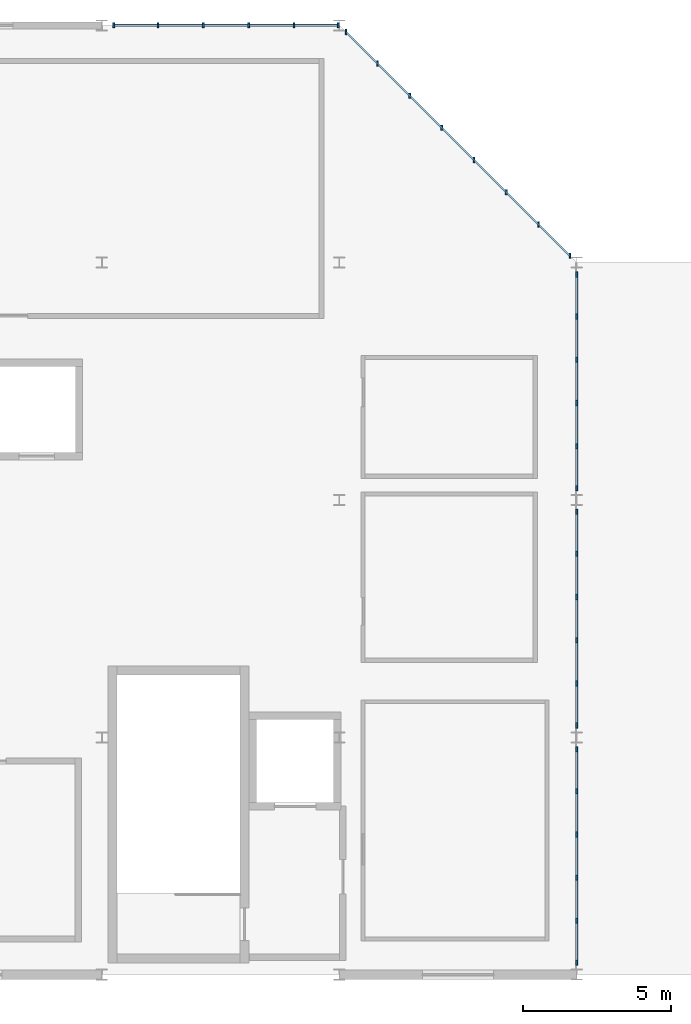
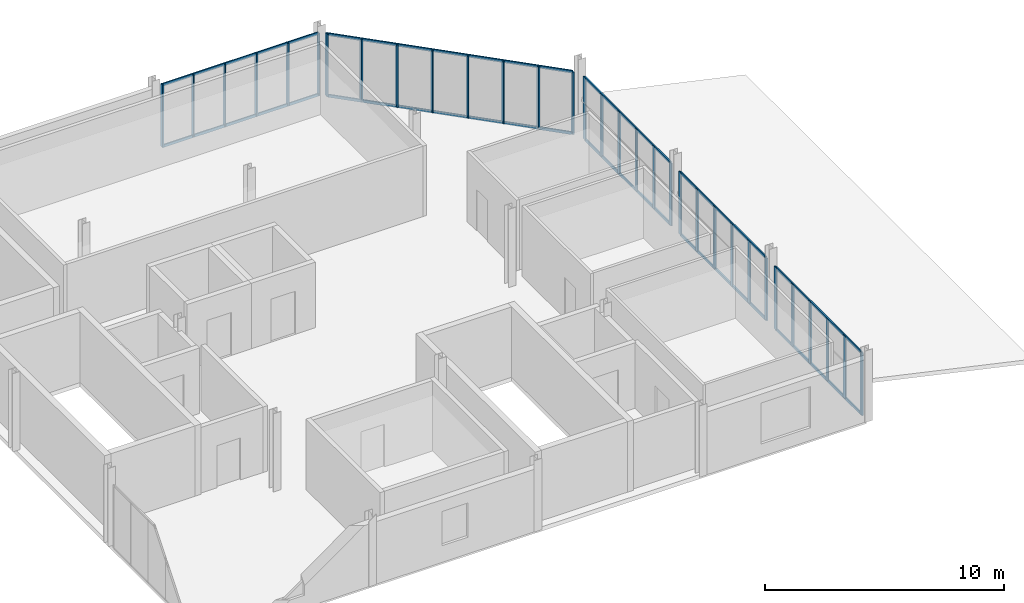
# One storey, part 3 of 7: 42 members, 5 elements without a shape of their own.
"""IFC4 building model written with IfcOpenShell, lengths in metres."""

import ifcopenshell
import ifcopenshell.guid

model = None  # the IFC model being written
_history = None  # IfcOwnerHistory: only IFC2X3 demands one
_inside = {}  # id of a spatial element -> (the spatial element, [elements in it])
_under = {}  # id of a project, library or spatial element -> (it, [spatial elements below it])
_declared = {}  # id of a project -> (the project, [libraries it declares])
_typed = {}  # id of a type object -> (the type object, [elements of that type])
_made_of = {}  # id of a material, layer set ... -> (it, [elements and type objects made of it])


def new_model(schema):
    """Start an empty IFC model of exactly this schema.

    Asked for "IFC4X3", IfcOpenShell would pick the latest addendum, in which some entities
    have other attributes; the version numbers below select the first issue.
    IFC2X3 requires an IfcOwnerHistory on every rooted entity: one is made here for all.
    """
    global model, _history
    if schema == "IFC4X3":
        model = ifcopenshell.file(schema_version=(4, 3, 0, 0))
    else:
        model = ifcopenshell.file(schema=schema)
    _inside.clear()
    _under.clear()
    _declared.clear()
    _typed.clear()
    _made_of.clear()
    _history = None
    if model.schema == "IFC2X3":
        org = make("IfcOrganization", Name="unknown")
        user = make(
            "IfcPersonAndOrganization",
            ThePerson=make("IfcPerson", FamilyName="unknown"),
            TheOrganization=org,
        )
        app = make(
            "IfcApplication",
            ApplicationDeveloper=org,
            Version="unknown",
            ApplicationFullName="unknown",
            ApplicationIdentifier="unknown",
        )
        _history = make(
            "IfcOwnerHistory",
            OwningUser=user,
            OwningApplication=app,
            ChangeAction="ADDED",
            CreationDate=0,
        )
    return model


def make(cls, **values):
    """One entity of the class cls with the attributes given. An attribute that is None is left unset."""
    return model.create_entity(
        cls, **{name: value for name, value in values.items() if value is not None}
    )


def rooted(cls, **values):
    """An entity with a GlobalId (a new one), such as an element, a storey or a relation."""
    return make(cls, GlobalId=ifcopenshell.guid.new(), OwnerHistory=_history, **values)


def si_unit(unit_type, name, prefix=None):
    """IfcSIUnit, for example si_unit("LENGTHUNIT", "METRE", prefix="MILLI")."""
    return make("IfcSIUnit", UnitType=unit_type, Prefix=prefix, Name=name)


def assignment(units):
    """IfcUnitAssignment: the units of a project."""
    return None if units is None else make("IfcUnitAssignment", Units=units)


def point(xyz):
    """IfcCartesianPoint."""
    return None if xyz is None else make("IfcCartesianPoint", Coordinates=xyz)


def direction(xyz):
    """IfcDirection."""
    return None if xyz is None else make("IfcDirection", DirectionRatios=xyz)


def frame(location, z_axis=None, x_axis=None):
    """IfcAxis2Placement3D, a coordinate frame: its origin and axes. An axis left out is left unset."""
    return make(
        "IfcAxis2Placement3D",
        Location=point(location),
        Axis=direction(z_axis),
        RefDirection=direction(x_axis),
    )


def frame_2d(location, x_axis=None):
    """IfcAxis2Placement2D, a coordinate frame in the plane: its origin and x axis."""
    return make(
        "IfcAxis2Placement2D", Location=point(location), RefDirection=direction(x_axis)
    )


def origin():
    """The frame at (0, 0, 0) with its axes left unset."""
    return frame((0.0, 0.0, 0.0))


def origin_2d():
    """The frame at (0, 0) in the plane with its x axis left unset."""
    return frame_2d((0.0, 0.0))


def place(relative_to, where):
    """IfcLocalPlacement: puts the frame where relative to a parent placement (None: the world)."""
    return make(
        "IfcLocalPlacement", PlacementRelTo=relative_to, RelativePlacement=where
    )


def context(
    kind, dimensions, precision=None, world=None, true_north=None, identifier=None
):
    """IfcGeometricRepresentationContext, for example the 3D "Model" context."""
    return make(
        "IfcGeometricRepresentationContext",
        ContextIdentifier=identifier,
        ContextType=kind,
        CoordinateSpaceDimension=dimensions,
        Precision=precision,
        WorldCoordinateSystem=world,
        TrueNorth=true_north,
    )


def subcontext(parent, identifier, kind, view, scale=None):
    """IfcGeometricRepresentationSubContext, for example "Body" below "Model"."""
    return make(
        "IfcGeometricRepresentationSubContext",
        ContextIdentifier=identifier,
        ContextType=kind,
        ParentContext=parent,
        TargetScale=scale,
        TargetView=view,
    )


def project(units=None, contexts=None):
    """IfcProject with its units and contexts."""
    return rooted(
        "IfcProject",
        Name="project",
        RepresentationContexts=contexts,
        UnitsInContext=assignment(units),
    )


def spatial(cls, under=None, at=None, **own):
    """A site, building, storey or space (cls), placed at a placement, below another one or the project."""
    s = rooted(cls, ObjectPlacement=at, **own)
    if under is not None:
        _under.setdefault(under.id(), (under, []))[1].append(s)
    return s


def profile(cls, at=None, kind="AREA", **sizes):
    """A parametric profile (cls). Its sizes go by their IFC names, for example OverallWidth=200.0."""
    return make(cls, ProfileType=kind, Position=at, **sizes)


def rectangle(**sizes):
    """IfcRectangleProfileDef."""
    return profile("IfcRectangleProfileDef", **sizes)


def extrude(swept, where, along, depth):
    """IfcExtrudedAreaSolid: the profile swept, set in the frame where, extruded along a direction by depth."""
    return make(
        "IfcExtrudedAreaSolid",
        SweptArea=swept,
        Position=where,
        ExtrudedDirection=direction(along),
        Depth=depth,
    )


def shape(context_of_items, identifier, shape_type, items):
    """IfcShapeRepresentation: the items that make up one representation, for example the "Body"."""
    return make(
        "IfcShapeRepresentation",
        ContextOfItems=context_of_items,
        RepresentationIdentifier=identifier,
        RepresentationType=shape_type,
        Items=items,
    )


def material(Name=None, Category=None):
    """IfcMaterial."""
    return make("IfcMaterial", Name=Name, Category=Category)


def material_profile(
    of_material, cross_section, Name=None, Category=None, Priority=None
):
    """IfcMaterialProfile: a cross section and its material."""
    return make(
        "IfcMaterialProfile",
        Name=Name,
        Material=of_material,
        Profile=cross_section,
        Priority=Priority,
        Category=Category,
    )


def profile_set(profiles, Name=None, composite=None):
    """IfcMaterialProfileSet."""
    return make(
        "IfcMaterialProfileSet",
        Name=Name,
        MaterialProfiles=profiles,
        CompositeProfile=composite,
    )


def made_of(thing, what):
    """Note that an element or type object is made of a material, layer set ...; save() writes the relation."""
    if what is not None:
        _made_of.setdefault(what.id(), (what, []))[1].append(thing)
    return thing


def type_object(cls, material=None, **own):
    """A type object (cls), such as IfcWallType, which elements share."""
    return made_of(rooted(cls, **own), material)


def element(
    cls,
    number,
    at=None,
    inside=None,
    cuts=None,
    type_object=None,
    material=None,
    context=None,
    identifier="Body",
    shape_type=None,
    held_by="IfcProductDefinitionShape",
    body=None,
    shapes=None,
    **own,
):
    """One element of the class cls, such as IfcWall. Its Tag is "e" and its number.

    at: its placement. inside: the storey or other place that contains it. cuts: it is an
    opening in that element (IfcRelVoidsElement). A single representation is given by context,
    identifier, shape_type and body (its items); several are given by shapes. held_by: the class
    of the entity that holds the representations. save() writes the other relations.
    """
    e = rooted(cls, Tag="e%d" % number, ObjectPlacement=at, **own)
    if body is not None:
        shapes = [shape(context, identifier, shape_type, body)]
    if shapes is not None:
        e.Representation = make(held_by, Representations=shapes)
    if inside is not None:
        _inside.setdefault(inside.id(), (inside, []))[1].append(e)
    if cuts is not None:
        rooted(
            "IfcRelVoidsElement", RelatingBuildingElement=cuts, RelatedOpeningElement=e
        )
    if type_object is not None:
        _typed.setdefault(type_object.id(), (type_object, []))[1].append(e)
    return made_of(e, material)


def aggregate(whole, parts):
    """IfcRelAggregates: a whole, such as a stair, and the parts it consists of."""
    return rooted("IfcRelAggregates", RelatingObject=whole, RelatedObjects=parts)


def save(model, path):
    """Write the relations noted so far, then the file.

    IfcRelAggregates (storeys below a building ...), IfcRelContainedInSpatialStructure (elements
    in a storey), IfcRelDefinesByType, IfcRelAssociatesMaterial and IfcRelDeclares: one each for
    every whole, place, type object, material and project.
    """
    for whole, parts in _under.values():
        aggregate(whole, parts)
    for where, things in _inside.values():
        rooted(
            "IfcRelContainedInSpatialStructure",
            RelatedElements=things,
            RelatingStructure=where,
        )
    for kind, things in _typed.values():
        rooted("IfcRelDefinesByType", RelatedObjects=things, RelatingType=kind)
    for what, things in _made_of.values():
        rooted("IfcRelAssociatesMaterial", RelatedObjects=things, RelatingMaterial=what)
    for by, libraries in _declared.values():
        rooted("IfcRelDeclares", RelatingContext=by, RelatedDefinitions=libraries)
    model.write(path)


model = new_model("IFC4")

# Units and contexts
model_context = context("Model", 3, precision=1e-05, world=origin(), true_north=direction((0.0, 1.0)))
body_context = subcontext(model_context, "Body", "Model", "MODEL_VIEW")
ifc_project = project(units=[si_unit("LENGTHUNIT", "METRE"), si_unit("AREAUNIT", "SQUARE_METRE"), si_unit("VOLUMEUNIT", "CUBIC_METRE"), si_unit("PLANEANGLEUNIT", "RADIAN"), si_unit("MASSUNIT", "GRAM", prefix="KILO")], contexts=[model_context])

# Site, building, storey
site_placement = place(None, origin())
site = spatial("IfcSite", under=ifc_project, at=site_placement, CompositionType="ELEMENT")
building_placement = place(site_placement, origin())
building = spatial("IfcBuilding", under=site, at=building_placement, Name="Drelvath Fold Interchange", CompositionType="ELEMENT")
storey_placement = place(building_placement, frame((0.0, 0.0, 24.0)))
storey = spatial("IfcBuildingStorey", under=building, at=storey_placement, Name="L05", CompositionType="ELEMENT", Elevation=24.0)

# Curtain wall, members
ifc_material = material(Name="Anodized Aluminium 6063-T6", Category="aluminium")
curtain_wall_type_1 = type_object("IfcCurtainWallType", Name="CW-OPS-UPP", PredefinedType="USERDEFINED", material=ifc_material)
curtain_wall_1_placement = place(storey_placement, origin())
curtain_wall_1 = element("IfcCurtainWall", 1, at=curtain_wall_1_placement, inside=storey, type_object=curtain_wall_type_1, Name="Curtain wall CW-V5-L05-E3", ObjectType="UNITISED CURTAIN WALL", PredefinedType="USERDEFINED")
ifc_material_profile_1 = material_profile(ifc_material, rectangle(XDim=0.06005859375, YDim=0.175048828125, at=origin_2d()), Name="AL-M 60x175")
ifc_profile_set_1 = profile_set([ifc_material_profile_1], Name="Anodized Aluminium 6063-T6")
member_type_1 = type_object("IfcMemberType", Name="ML-175", PredefinedType="MULLION", material=ifc_profile_set_1)
member_1_placement = place(storey_placement, frame((36.0, 3.39990234375, 0.0), z_axis=(0.0, 0.0, 1.0), x_axis=(1.0, 0.0, 0.0)))
member_1 = element("IfcMember", 2, at=member_1_placement, type_object=member_type_1, Name="CW-V5-L05-E3 mullion 0", PredefinedType="MULLION", context=body_context, shape_type="SweptSolid", body=[
    extrude(rectangle(XDim=0.06005859375, YDim=0.175048828125, at=origin_2d()), origin(), (0.0, 0.0, 1.0), 3.199951171875),
])
member_2_placement = place(storey_placement, frame((36.0, 4.81591796875, 0.0), z_axis=(0.0, 0.0, 1.0), x_axis=(1.0, 0.0, 0.0)))
member_2 = element("IfcMember", 3, at=member_2_placement, type_object=member_type_1, Name="CW-V5-L05-E3 mullion 1", PredefinedType="MULLION", context=body_context, shape_type="SweptSolid", body=[
    extrude(rectangle(XDim=0.06005859375, YDim=0.175048828125, at=origin_2d()), origin(), (0.0, 0.0, 1.0), 3.199951171875),
])
member_3_placement = place(storey_placement, frame((36.0, 6.27197265625, 0.0), z_axis=(0.0, 0.0, 1.0), x_axis=(1.0, 0.0, 0.0)))
member_3 = element("IfcMember", 4, at=member_3_placement, type_object=member_type_1, Name="CW-V5-L05-E3 mullion 2", PredefinedType="MULLION", context=body_context, shape_type="SweptSolid", body=[
    extrude(rectangle(XDim=0.06005859375, YDim=0.175048828125, at=origin_2d()), origin(), (0.0, 0.0, 1.0), 3.199951171875),
])
member_4_placement = place(storey_placement, frame((36.0, 7.72802734375, 0.0), z_axis=(0.0, 0.0, 1.0), x_axis=(1.0, 0.0, 0.0)))
member_4 = element("IfcMember", 5, at=member_4_placement, type_object=member_type_1, Name="CW-V5-L05-E3 mullion 3", PredefinedType="MULLION", context=body_context, shape_type="SweptSolid", body=[
    extrude(rectangle(XDim=0.06005859375, YDim=0.175048828125, at=origin_2d()), origin(), (0.0, 0.0, 1.0), 3.199951171875),
])
member_5_placement = place(storey_placement, frame((36.0, 9.18408203125, 0.0), z_axis=(0.0, 0.0, 1.0), x_axis=(1.0, 0.0, 0.0)))
member_5 = element("IfcMember", 6, at=member_5_placement, type_object=member_type_1, Name="CW-V5-L05-E3 mullion 4", PredefinedType="MULLION", context=body_context, shape_type="SweptSolid", body=[
    extrude(rectangle(XDim=0.06005859375, YDim=0.175048828125, at=origin_2d()), origin(), (0.0, 0.0, 1.0), 3.199951171875),
])
member_6_placement = place(storey_placement, frame((36.0, 10.60009765625, 0.0), z_axis=(0.0, 0.0, 1.0), x_axis=(1.0, 0.0, 0.0)))
member_6 = element("IfcMember", 7, at=member_6_placement, type_object=member_type_1, Name="CW-V5-L05-E3 mullion 5", PredefinedType="MULLION", context=body_context, shape_type="SweptSolid", body=[
    extrude(rectangle(XDim=0.06005859375, YDim=0.175048828125, at=origin_2d()), origin(), (0.0, 0.0, 1.0), 3.199951171875),
])

curtain_wall_2_placement = place(storey_placement, origin())
curtain_wall_2 = element("IfcCurtainWall", 8, at=curtain_wall_2_placement, inside=storey, type_object=curtain_wall_type_1, Name="Curtain wall CW-V5-L05-E11", ObjectType="UNITISED CURTAIN WALL", PredefinedType="USERDEFINED")
member_7_placement = place(storey_placement, frame((36.0, 11.39990234375, 0.0), z_axis=(0.0, 0.0, 1.0), x_axis=(1.0, 0.0, 0.0)))
member_7 = element("IfcMember", 9, at=member_7_placement, type_object=member_type_1, Name="CW-V5-L05-E11 mullion 0", PredefinedType="MULLION", context=body_context, shape_type="SweptSolid", body=[
    extrude(rectangle(XDim=0.06005859375, YDim=0.175048828125, at=origin_2d()), origin(), (0.0, 0.0, 1.0), 3.199951171875),
])
member_8_placement = place(storey_placement, frame((36.0, 12.81591796875, 0.0), z_axis=(0.0, 0.0, 1.0), x_axis=(1.0, 0.0, 0.0)))
member_8 = element("IfcMember", 10, at=member_8_placement, type_object=member_type_1, Name="CW-V5-L05-E11 mullion 1", PredefinedType="MULLION", context=body_context, shape_type="SweptSolid", body=[
    extrude(rectangle(XDim=0.06005859375, YDim=0.175048828125, at=origin_2d()), origin(), (0.0, 0.0, 1.0), 3.199951171875),
])
member_9_placement = place(storey_placement, frame((36.0, 14.27197265625, 0.0), z_axis=(0.0, 0.0, 1.0), x_axis=(1.0, 0.0, 0.0)))
member_9 = element("IfcMember", 11, at=member_9_placement, type_object=member_type_1, Name="CW-V5-L05-E11 mullion 2", PredefinedType="MULLION", context=body_context, shape_type="SweptSolid", body=[
    extrude(rectangle(XDim=0.06005859375, YDim=0.175048828125, at=origin_2d()), origin(), (0.0, 0.0, 1.0), 3.199951171875),
])
member_10_placement = place(storey_placement, frame((36.0, 15.72802734375, 0.0), z_axis=(0.0, 0.0, 1.0), x_axis=(1.0, 0.0, 0.0)))
member_10 = element("IfcMember", 12, at=member_10_placement, type_object=member_type_1, Name="CW-V5-L05-E11 mullion 3", PredefinedType="MULLION", context=body_context, shape_type="SweptSolid", body=[
    extrude(rectangle(XDim=0.06005859375, YDim=0.175048828125, at=origin_2d()), origin(), (0.0, 0.0, 1.0), 3.199951171875),
])
member_11_placement = place(storey_placement, frame((36.0, 17.18408203125, 0.0), z_axis=(0.0, 0.0, 1.0), x_axis=(1.0, 0.0, 0.0)))
member_11 = element("IfcMember", 13, at=member_11_placement, type_object=member_type_1, Name="CW-V5-L05-E11 mullion 4", PredefinedType="MULLION", context=body_context, shape_type="SweptSolid", body=[
    extrude(rectangle(XDim=0.06005859375, YDim=0.175048828125, at=origin_2d()), origin(), (0.0, 0.0, 1.0), 3.199951171875),
])
member_12_placement = place(storey_placement, frame((36.0, 18.60009765625, 0.0), z_axis=(0.0, 0.0, 1.0), x_axis=(1.0, 0.0, 0.0)))
member_12 = element("IfcMember", 14, at=member_12_placement, type_object=member_type_1, Name="CW-V5-L05-E11 mullion 5", PredefinedType="MULLION", context=body_context, shape_type="SweptSolid", body=[
    extrude(rectangle(XDim=0.06005859375, YDim=0.175048828125, at=origin_2d()), origin(), (0.0, 0.0, 1.0), 3.199951171875),
])

curtain_wall_3_placement = place(storey_placement, origin())
curtain_wall_3 = element("IfcCurtainWall", 15, at=curtain_wall_3_placement, inside=storey, type_object=curtain_wall_type_1, Name="Curtain wall CW-V5-L05-E19", ObjectType="UNITISED CURTAIN WALL", PredefinedType="USERDEFINED")
member_13_placement = place(storey_placement, frame((36.0, 19.39990234375, 0.0), z_axis=(0.0, 0.0, 1.0), x_axis=(1.0, 0.0, 0.0)))
member_13 = element("IfcMember", 16, at=member_13_placement, type_object=member_type_1, Name="CW-V5-L05-E19 mullion 0", PredefinedType="MULLION", context=body_context, shape_type="SweptSolid", body=[
    extrude(rectangle(XDim=0.06005859375, YDim=0.175048828125, at=origin_2d()), origin(), (0.0, 0.0, 1.0), 3.199951171875),
])
member_14_placement = place(storey_placement, frame((36.0, 20.81591796875, 0.0), z_axis=(0.0, 0.0, 1.0), x_axis=(1.0, 0.0, 0.0)))
member_14 = element("IfcMember", 17, at=member_14_placement, type_object=member_type_1, Name="CW-V5-L05-E19 mullion 1", PredefinedType="MULLION", context=body_context, shape_type="SweptSolid", body=[
    extrude(rectangle(XDim=0.06005859375, YDim=0.175048828125, at=origin_2d()), origin(), (0.0, 0.0, 1.0), 3.199951171875),
])
member_15_placement = place(storey_placement, frame((36.0, 22.27197265625, 0.0), z_axis=(0.0, 0.0, 1.0), x_axis=(1.0, 0.0, 0.0)))
member_15 = element("IfcMember", 18, at=member_15_placement, type_object=member_type_1, Name="CW-V5-L05-E19 mullion 2", PredefinedType="MULLION", context=body_context, shape_type="SweptSolid", body=[
    extrude(rectangle(XDim=0.06005859375, YDim=0.175048828125, at=origin_2d()), origin(), (0.0, 0.0, 1.0), 3.199951171875),
])
member_16_placement = place(storey_placement, frame((36.0, 23.72802734375, 0.0), z_axis=(0.0, 0.0, 1.0), x_axis=(1.0, 0.0, 0.0)))
member_16 = element("IfcMember", 19, at=member_16_placement, type_object=member_type_1, Name="CW-V5-L05-E19 mullion 3", PredefinedType="MULLION", context=body_context, shape_type="SweptSolid", body=[
    extrude(rectangle(XDim=0.06005859375, YDim=0.175048828125, at=origin_2d()), origin(), (0.0, 0.0, 1.0), 3.199951171875),
])
member_17_placement = place(storey_placement, frame((36.0, 25.18408203125, 0.0), z_axis=(0.0, 0.0, 1.0), x_axis=(1.0, 0.0, 0.0)))
member_17 = element("IfcMember", 20, at=member_17_placement, type_object=member_type_1, Name="CW-V5-L05-E19 mullion 4", PredefinedType="MULLION", context=body_context, shape_type="SweptSolid", body=[
    extrude(rectangle(XDim=0.06005859375, YDim=0.175048828125, at=origin_2d()), origin(), (0.0, 0.0, 1.0), 3.199951171875),
])
member_18_placement = place(storey_placement, frame((36.0, 26.60009765625, 0.0), z_axis=(0.0, 0.0, 1.0), x_axis=(1.0, 0.0, 0.0)))
member_18 = element("IfcMember", 21, at=member_18_placement, type_object=member_type_1, Name="CW-V5-L05-E19 mullion 5", PredefinedType="MULLION", context=body_context, shape_type="SweptSolid", body=[
    extrude(rectangle(XDim=0.06005859375, YDim=0.175048828125, at=origin_2d()), origin(), (0.0, 0.0, 1.0), 3.199951171875),
])

curtain_wall_type_2 = type_object("IfcCurtainWallType", Name="CW-OPS-CHM", PredefinedType="USERDEFINED", material=ifc_material)
curtain_wall_4_placement = place(storey_placement, origin())
curtain_wall_4 = element("IfcCurtainWall", 22, at=curtain_wall_4_placement, inside=storey, type_object=curtain_wall_type_2, Name="Curtain wall CW-V5-L05-CHM", ObjectType="UNITISED CURTAIN WALL", PredefinedType="USERDEFINED")
member_19_placement = place(storey_placement, frame((35.77197265625, 27.22802734375, 0.0), z_axis=(0.0, 0.0, 1.0), x_axis=(1.0, 0.0, 0.0)))
member_19 = element("IfcMember", 23, at=member_19_placement, type_object=member_type_1, Name="CW-V5-L05-CHM mullion 0", PredefinedType="MULLION", context=body_context, shape_type="SweptSolid", body=[
    extrude(rectangle(XDim=0.06005859375, YDim=0.175048828125, at=origin_2d()), origin(), (0.0, 0.0, 1.0), 3.199951171875),
])
member_20_placement = place(storey_placement, frame((34.714111328125, 28.285888671875, 0.0), z_axis=(0.0, 0.0, 1.0), x_axis=(1.0, 0.0, 0.0)))
member_20 = element("IfcMember", 24, at=member_20_placement, type_object=member_type_1, Name="CW-V5-L05-CHM mullion 1", PredefinedType="MULLION", context=body_context, shape_type="SweptSolid", body=[
    extrude(rectangle(XDim=0.06005859375, YDim=0.175048828125, at=origin_2d()), origin(), (0.0, 0.0, 1.0), 3.199951171875),
])
member_21_placement = place(storey_placement, frame((33.62890625, 29.37109375, 0.0), z_axis=(0.0, 0.0, 1.0), x_axis=(1.0, 0.0, 0.0)))
member_21 = element("IfcMember", 25, at=member_21_placement, type_object=member_type_1, Name="CW-V5-L05-CHM mullion 2", PredefinedType="MULLION", context=body_context, shape_type="SweptSolid", body=[
    extrude(rectangle(XDim=0.06005859375, YDim=0.175048828125, at=origin_2d()), origin(), (0.0, 0.0, 1.0), 3.199951171875),
])
member_22_placement = place(storey_placement, frame((32.54296875, 30.45703125, 0.0), z_axis=(0.0, 0.0, 1.0), x_axis=(1.0, 0.0, 0.0)))
member_22 = element("IfcMember", 26, at=member_22_placement, type_object=member_type_1, Name="CW-V5-L05-CHM mullion 3", PredefinedType="MULLION", context=body_context, shape_type="SweptSolid", body=[
    extrude(rectangle(XDim=0.06005859375, YDim=0.175048828125, at=origin_2d()), origin(), (0.0, 0.0, 1.0), 3.199951171875),
])
member_23_placement = place(storey_placement, frame((31.45703125, 31.54296875, 0.0), z_axis=(0.0, 0.0, 1.0), x_axis=(1.0, 0.0, 0.0)))
member_23 = element("IfcMember", 27, at=member_23_placement, type_object=member_type_1, Name="CW-V5-L05-CHM mullion 4", PredefinedType="MULLION", context=body_context, shape_type="SweptSolid", body=[
    extrude(rectangle(XDim=0.06005859375, YDim=0.175048828125, at=origin_2d()), origin(), (0.0, 0.0, 1.0), 3.199951171875),
])
member_24_placement = place(storey_placement, frame((30.37109375, 32.62890625, 0.0), z_axis=(0.0, 0.0, 1.0), x_axis=(1.0, 0.0, 0.0)))
member_24 = element("IfcMember", 28, at=member_24_placement, type_object=member_type_1, Name="CW-V5-L05-CHM mullion 5", PredefinedType="MULLION", context=body_context, shape_type="SweptSolid", body=[
    extrude(rectangle(XDim=0.06005859375, YDim=0.175048828125, at=origin_2d()), origin(), (0.0, 0.0, 1.0), 3.199951171875),
])
member_25_placement = place(storey_placement, frame((29.285888671875, 33.714111328125, 0.0), z_axis=(0.0, 0.0, 1.0), x_axis=(1.0, 0.0, 0.0)))
member_25 = element("IfcMember", 29, at=member_25_placement, type_object=member_type_1, Name="CW-V5-L05-CHM mullion 6", PredefinedType="MULLION", context=body_context, shape_type="SweptSolid", body=[
    extrude(rectangle(XDim=0.06005859375, YDim=0.175048828125, at=origin_2d()), origin(), (0.0, 0.0, 1.0), 3.199951171875),
])
member_26_placement = place(storey_placement, frame((28.22802734375, 34.77197265625, 0.0), z_axis=(0.0, 0.0, 1.0), x_axis=(1.0, 0.0, 0.0)))
member_26 = element("IfcMember", 30, at=member_26_placement, type_object=member_type_1, Name="CW-V5-L05-CHM mullion 7", PredefinedType="MULLION", context=body_context, shape_type="SweptSolid", body=[
    extrude(rectangle(XDim=0.06005859375, YDim=0.175048828125, at=origin_2d()), origin(), (0.0, 0.0, 1.0), 3.199951171875),
])

curtain_wall_5_placement = place(storey_placement, origin())
curtain_wall_5 = element("IfcCurtainWall", 31, at=curtain_wall_5_placement, inside=storey, type_object=curtain_wall_type_1, Name="Curtain wall CW-V5-L05-N20", ObjectType="UNITISED CURTAIN WALL", PredefinedType="USERDEFINED")
member_27_placement = place(storey_placement, frame((20.39990234375, 35.0, 0.0), z_axis=(0.0, 0.0, 1.0), x_axis=(1.0, 0.0, 0.0)))
member_27 = element("IfcMember", 32, at=member_27_placement, type_object=member_type_1, Name="CW-V5-L05-N20 mullion 0", PredefinedType="MULLION", context=body_context, shape_type="SweptSolid", body=[
    extrude(rectangle(XDim=0.06005859375, YDim=0.175048828125, at=origin_2d()), origin(), (0.0, 0.0, 1.0), 3.199951171875),
])
member_28_placement = place(storey_placement, frame((21.887939453125, 35.0, 0.0), z_axis=(0.0, 0.0, 1.0), x_axis=(1.0, 0.0, 0.0)))
member_28 = element("IfcMember", 33, at=member_28_placement, type_object=member_type_1, Name="CW-V5-L05-N20 mullion 1", PredefinedType="MULLION", context=body_context, shape_type="SweptSolid", body=[
    extrude(rectangle(XDim=0.06005859375, YDim=0.175048828125, at=origin_2d()), origin(), (0.0, 0.0, 1.0), 3.199951171875),
])
member_29_placement = place(storey_placement, frame((23.416015625, 35.0, 0.0), z_axis=(0.0, 0.0, 1.0), x_axis=(1.0, 0.0, 0.0)))
member_29 = element("IfcMember", 34, at=member_29_placement, type_object=member_type_1, Name="CW-V5-L05-N20 mullion 2", PredefinedType="MULLION", context=body_context, shape_type="SweptSolid", body=[
    extrude(rectangle(XDim=0.06005859375, YDim=0.175048828125, at=origin_2d()), origin(), (0.0, 0.0, 1.0), 3.199951171875),
])
member_30_placement = place(storey_placement, frame((24.944091796875, 35.0, 0.0), z_axis=(0.0, 0.0, 1.0), x_axis=(1.0, 0.0, 0.0)))
member_30 = element("IfcMember", 35, at=member_30_placement, type_object=member_type_1, Name="CW-V5-L05-N20 mullion 3", PredefinedType="MULLION", context=body_context, shape_type="SweptSolid", body=[
    extrude(rectangle(XDim=0.06005859375, YDim=0.175048828125, at=origin_2d()), origin(), (0.0, 0.0, 1.0), 3.199951171875),
])
member_31_placement = place(storey_placement, frame((26.471923828125, 35.0, 0.0), z_axis=(0.0, 0.0, 1.0), x_axis=(1.0, 0.0, 0.0)))
member_31 = element("IfcMember", 36, at=member_31_placement, type_object=member_type_1, Name="CW-V5-L05-N20 mullion 4", PredefinedType="MULLION", context=body_context, shape_type="SweptSolid", body=[
    extrude(rectangle(XDim=0.06005859375, YDim=0.175048828125, at=origin_2d()), origin(), (0.0, 0.0, 1.0), 3.199951171875),
])
member_32_placement = place(storey_placement, frame((27.9599609375, 35.0, 0.0), z_axis=(0.0, 0.0, 1.0), x_axis=(1.0, 0.0, 0.0)))
member_32 = element("IfcMember", 37, at=member_32_placement, type_object=member_type_1, Name="CW-V5-L05-N20 mullion 5", PredefinedType="MULLION", context=body_context, shape_type="SweptSolid", body=[
    extrude(rectangle(XDim=0.06005859375, YDim=0.175048828125, at=origin_2d()), origin(), (0.0, 0.0, 1.0), 3.199951171875),
])

# Member
ifc_material_profile_2 = material_profile(ifc_material, rectangle(XDim=0.06005859375, YDim=0.139892578125, at=origin_2d()), Name="AL-T 60x140")
ifc_profile_set_2 = profile_set([ifc_material_profile_2], Name="Anodized Aluminium 6063-T6")
member_type_2 = type_object("IfcMemberType", Name="TR-140", PredefinedType="USERDEFINED", material=ifc_profile_set_2)
member_33_placement = place(storey_placement, frame((36.0, 3.39990234375, 0.030029296875), z_axis=(0.0, 1.0, 0.0), x_axis=(-1.0, 0.0, 0.0)))
member_33 = element("IfcMember", 38, at=member_33_placement, type_object=member_type_2, Name="CW-V5-L05-E3 transom 0", ObjectType="TRANSOM", PredefinedType="USERDEFINED", context=body_context, shape_type="SweptSolid", body=[
    extrude(rectangle(XDim=0.06005859375, YDim=0.139892578125, at=origin_2d()), origin(), (0.0, 0.0, 1.0), 7.2001953125),
])

member_34_placement = place(storey_placement, frame((36.0, 3.39990234375, 3.169921875), z_axis=(0.0, 1.0, 0.0), x_axis=(-1.0, 0.0, 0.0)))
member_34 = element("IfcMember", 39, at=member_34_placement, type_object=member_type_2, Name="CW-V5-L05-E3 transom 1", ObjectType="TRANSOM", PredefinedType="USERDEFINED", context=body_context, shape_type="SweptSolid", body=[
    extrude(rectangle(XDim=0.06005859375, YDim=0.139892578125, at=origin_2d()), origin(), (0.0, 0.0, 1.0), 7.2001953125),
])

aggregate(curtain_wall_1, [member_1, member_2, member_3, member_4, member_5, member_6, member_33, member_34])

member_35_placement = place(storey_placement, frame((36.0, 11.39990234375, 0.030029296875), z_axis=(0.0, 1.0, 0.0), x_axis=(-1.0, 0.0, 0.0)))
member_35 = element("IfcMember", 40, at=member_35_placement, type_object=member_type_2, Name="CW-V5-L05-E11 transom 0", ObjectType="TRANSOM", PredefinedType="USERDEFINED", context=body_context, shape_type="SweptSolid", body=[
    extrude(rectangle(XDim=0.06005859375, YDim=0.139892578125, at=origin_2d()), origin(), (0.0, 0.0, 1.0), 7.2001953125),
])

member_36_placement = place(storey_placement, frame((36.0, 11.39990234375, 3.169921875), z_axis=(0.0, 1.0, 0.0), x_axis=(-1.0, 0.0, 0.0)))
member_36 = element("IfcMember", 41, at=member_36_placement, type_object=member_type_2, Name="CW-V5-L05-E11 transom 1", ObjectType="TRANSOM", PredefinedType="USERDEFINED", context=body_context, shape_type="SweptSolid", body=[
    extrude(rectangle(XDim=0.06005859375, YDim=0.139892578125, at=origin_2d()), origin(), (0.0, 0.0, 1.0), 7.2001953125),
])

aggregate(curtain_wall_2, [member_7, member_8, member_9, member_10, member_11, member_12, member_35, member_36])

member_37_placement = place(storey_placement, frame((36.0, 19.39990234375, 0.030029296875), z_axis=(0.0, 1.0, 0.0), x_axis=(-1.0, 0.0, 0.0)))
member_37 = element("IfcMember", 42, at=member_37_placement, type_object=member_type_2, Name="CW-V5-L05-E19 transom 0", ObjectType="TRANSOM", PredefinedType="USERDEFINED", context=body_context, shape_type="SweptSolid", body=[
    extrude(rectangle(XDim=0.06005859375, YDim=0.139892578125, at=origin_2d()), origin(), (0.0, 0.0, 1.0), 7.2001953125),
])

member_38_placement = place(storey_placement, frame((36.0, 19.39990234375, 3.169921875), z_axis=(0.0, 1.0, 0.0), x_axis=(-1.0, 0.0, 0.0)))
member_38 = element("IfcMember", 43, at=member_38_placement, type_object=member_type_2, Name="CW-V5-L05-E19 transom 1", ObjectType="TRANSOM", PredefinedType="USERDEFINED", context=body_context, shape_type="SweptSolid", body=[
    extrude(rectangle(XDim=0.06005859375, YDim=0.139892578125, at=origin_2d()), origin(), (0.0, 0.0, 1.0), 7.2001953125),
])

aggregate(curtain_wall_3, [member_13, member_14, member_15, member_16, member_17, member_18, member_37, member_38])

member_39_placement = place(storey_placement, frame((35.77197265625, 27.22802734375, 0.030029296875), z_axis=(-0.707106781187, 0.707106781187, 0.0), x_axis=(-0.707106781187, -0.707106781187, 0.0)))
member_39 = element("IfcMember", 44, at=member_39_placement, type_object=member_type_2, Name="CW-V5-L05-CHM transom 0", ObjectType="TRANSOM", PredefinedType="USERDEFINED", context=body_context, shape_type="SweptSolid", body=[
    extrude(rectangle(XDim=0.06005859375, YDim=0.139892578125, at=origin_2d()), origin(), (0.0, 0.0, 1.0), 10.668701171875),
])

member_40_placement = place(storey_placement, frame((35.77197265625, 27.22802734375, 3.169921875), z_axis=(-0.707106781187, 0.707106781187, 0.0), x_axis=(-0.707106781187, -0.707106781187, 0.0)))
member_40 = element("IfcMember", 45, at=member_40_placement, type_object=member_type_2, Name="CW-V5-L05-CHM transom 1", ObjectType="TRANSOM", PredefinedType="USERDEFINED", context=body_context, shape_type="SweptSolid", body=[
    extrude(rectangle(XDim=0.06005859375, YDim=0.139892578125, at=origin_2d()), origin(), (0.0, 0.0, 1.0), 10.668701171875),
])

aggregate(curtain_wall_4, [member_19, member_20, member_21, member_22, member_23, member_24, member_25, member_26, member_39, member_40])

member_41_placement = place(storey_placement, frame((20.39990234375, 35.0, 0.030029296875), z_axis=(1.0, 0.0, 0.0), x_axis=(0.0, 1.0, 0.0)))
member_41 = element("IfcMember", 46, at=member_41_placement, type_object=member_type_2, Name="CW-V5-L05-N20 transom 0", ObjectType="TRANSOM", PredefinedType="USERDEFINED", context=body_context, shape_type="SweptSolid", body=[
    extrude(rectangle(XDim=0.06005859375, YDim=0.139892578125, at=origin_2d()), origin(), (0.0, 0.0, 1.0), 7.56005859375),
])

member_42_placement = place(storey_placement, frame((20.39990234375, 35.0, 3.169921875), z_axis=(1.0, 0.0, 0.0), x_axis=(0.0, 1.0, 0.0)))
member_42 = element("IfcMember", 47, at=member_42_placement, type_object=member_type_2, Name="CW-V5-L05-N20 transom 1", ObjectType="TRANSOM", PredefinedType="USERDEFINED", context=body_context, shape_type="SweptSolid", body=[
    extrude(rectangle(XDim=0.06005859375, YDim=0.139892578125, at=origin_2d()), origin(), (0.0, 0.0, 1.0), 7.56005859375),
])

aggregate(curtain_wall_5, [member_27, member_28, member_29, member_30, member_31, member_32, member_41, member_42])

save(model, "model.ifc")
